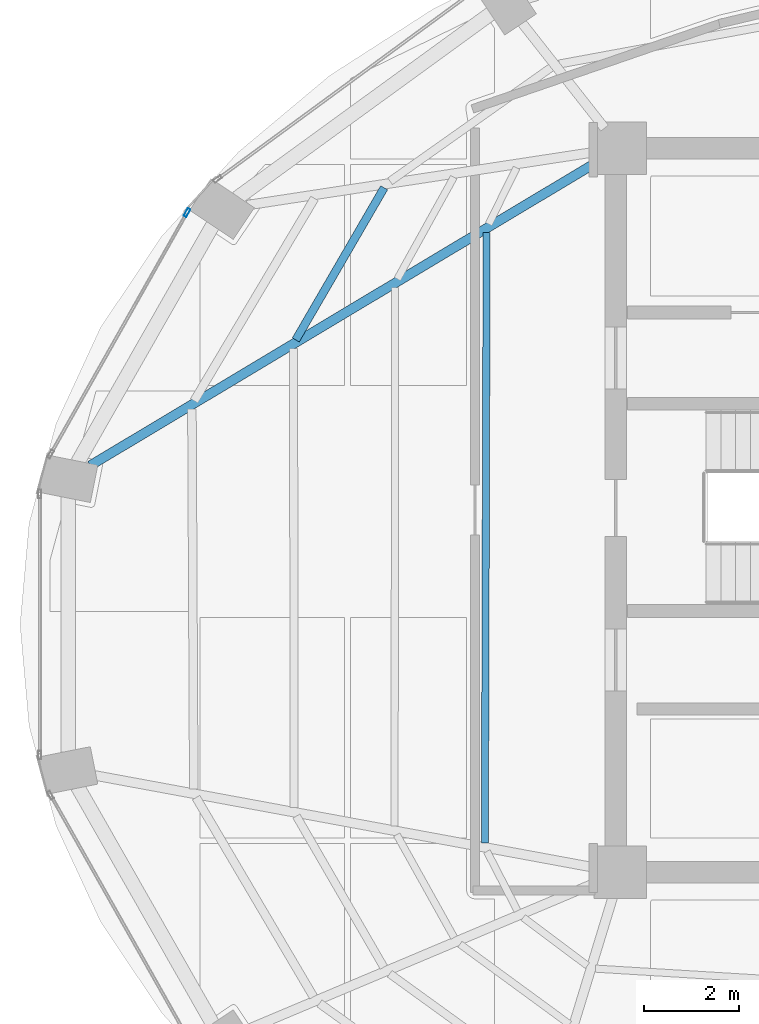
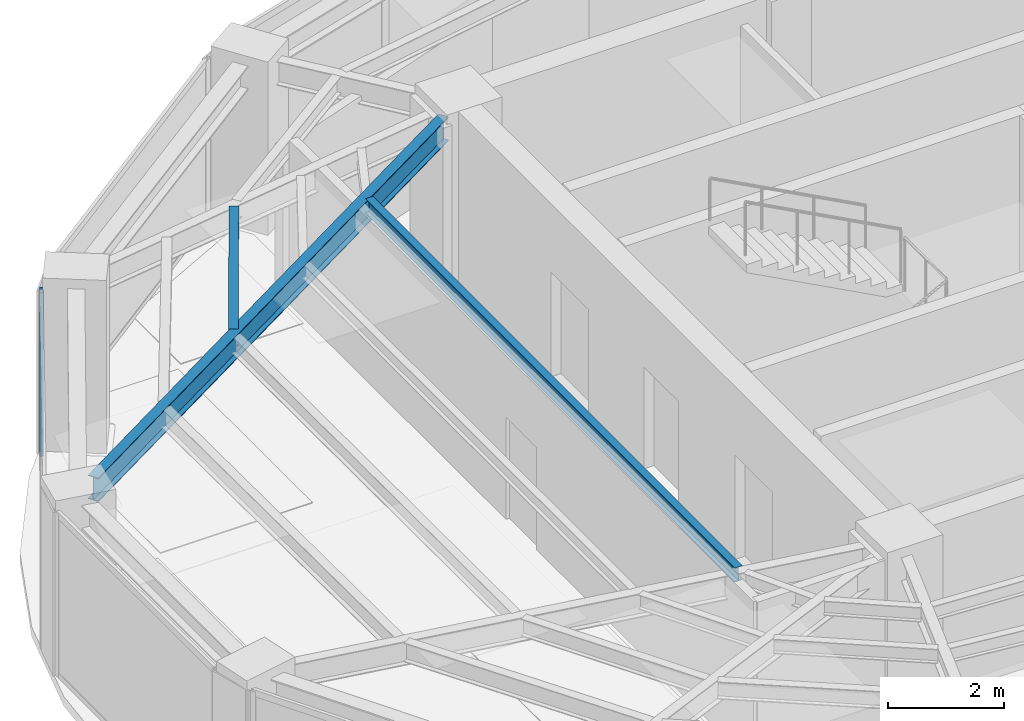
# One storey, part 9 of 22: 3 beams, 1 member, 1 element without a shape of its own.
"""IFC4 building model written with IfcOpenShell, lengths in metres."""

import ifcopenshell
import ifcopenshell.guid

model = None  # the IFC model being written
_history = None  # IfcOwnerHistory: only IFC2X3 demands one
_inside = {}  # id of a spatial element -> (the spatial element, [elements in it])
_under = {}  # id of a project, library or spatial element -> (it, [spatial elements below it])
_declared = {}  # id of a project -> (the project, [libraries it declares])
_typed = {}  # id of a type object -> (the type object, [elements of that type])
_made_of = {}  # id of a material, layer set ... -> (it, [elements and type objects made of it])


def new_model(schema):
    """Start an empty IFC model of exactly this schema.

    Asked for "IFC4X3", IfcOpenShell would pick the latest addendum, in which some entities
    have other attributes; the version numbers below select the first issue.
    IFC2X3 requires an IfcOwnerHistory on every rooted entity: one is made here for all.
    """
    global model, _history
    if schema == "IFC4X3":
        model = ifcopenshell.file(schema_version=(4, 3, 0, 0))
    else:
        model = ifcopenshell.file(schema=schema)
    _inside.clear()
    _under.clear()
    _declared.clear()
    _typed.clear()
    _made_of.clear()
    _history = None
    if model.schema == "IFC2X3":
        org = make("IfcOrganization", Name="unknown")
        user = make(
            "IfcPersonAndOrganization",
            ThePerson=make("IfcPerson", FamilyName="unknown"),
            TheOrganization=org,
        )
        app = make(
            "IfcApplication",
            ApplicationDeveloper=org,
            Version="unknown",
            ApplicationFullName="unknown",
            ApplicationIdentifier="unknown",
        )
        _history = make(
            "IfcOwnerHistory",
            OwningUser=user,
            OwningApplication=app,
            ChangeAction="ADDED",
            CreationDate=0,
        )
    return model


def make(cls, **values):
    """One entity of the class cls with the attributes given. An attribute that is None is left unset."""
    return model.create_entity(
        cls, **{name: value for name, value in values.items() if value is not None}
    )


def rooted(cls, **values):
    """An entity with a GlobalId (a new one), such as an element, a storey or a relation."""
    return make(cls, GlobalId=ifcopenshell.guid.new(), OwnerHistory=_history, **values)


def si_unit(unit_type, name, prefix=None):
    """IfcSIUnit, for example si_unit("LENGTHUNIT", "METRE", prefix="MILLI")."""
    return make("IfcSIUnit", UnitType=unit_type, Prefix=prefix, Name=name)


def assignment(units):
    """IfcUnitAssignment: the units of a project."""
    return None if units is None else make("IfcUnitAssignment", Units=units)


def point(xyz):
    """IfcCartesianPoint."""
    return None if xyz is None else make("IfcCartesianPoint", Coordinates=xyz)


def direction(xyz):
    """IfcDirection."""
    return None if xyz is None else make("IfcDirection", DirectionRatios=xyz)


def frame(location, z_axis=None, x_axis=None):
    """IfcAxis2Placement3D, a coordinate frame: its origin and axes. An axis left out is left unset."""
    return make(
        "IfcAxis2Placement3D",
        Location=point(location),
        Axis=direction(z_axis),
        RefDirection=direction(x_axis),
    )


def frame_2d(location, x_axis=None):
    """IfcAxis2Placement2D, a coordinate frame in the plane: its origin and x axis."""
    return make(
        "IfcAxis2Placement2D", Location=point(location), RefDirection=direction(x_axis)
    )


def origin():
    """The frame at (0, 0, 0) with its axes left unset."""
    return frame((0.0, 0.0, 0.0))


def origin_2d():
    """The frame at (0, 0) in the plane with its x axis left unset."""
    return frame_2d((0.0, 0.0))


def place(relative_to, where):
    """IfcLocalPlacement: puts the frame where relative to a parent placement (None: the world)."""
    return make(
        "IfcLocalPlacement", PlacementRelTo=relative_to, RelativePlacement=where
    )


def context(
    kind, dimensions, precision=None, world=None, true_north=None, identifier=None
):
    """IfcGeometricRepresentationContext, for example the 3D "Model" context."""
    return make(
        "IfcGeometricRepresentationContext",
        ContextIdentifier=identifier,
        ContextType=kind,
        CoordinateSpaceDimension=dimensions,
        Precision=precision,
        WorldCoordinateSystem=world,
        TrueNorth=true_north,
    )


def subcontext(parent, identifier, kind, view, scale=None):
    """IfcGeometricRepresentationSubContext, for example "Body" below "Model"."""
    return make(
        "IfcGeometricRepresentationSubContext",
        ContextIdentifier=identifier,
        ContextType=kind,
        ParentContext=parent,
        TargetScale=scale,
        TargetView=view,
    )


def project(units=None, contexts=None):
    """IfcProject with its units and contexts."""
    return rooted(
        "IfcProject",
        Name="project",
        RepresentationContexts=contexts,
        UnitsInContext=assignment(units),
    )


def spatial(cls, under=None, at=None, **own):
    """A site, building, storey or space (cls), placed at a placement, below another one or the project."""
    s = rooted(cls, ObjectPlacement=at, **own)
    if under is not None:
        _under.setdefault(under.id(), (under, []))[1].append(s)
    return s


def profile(cls, at=None, kind="AREA", **sizes):
    """A parametric profile (cls). Its sizes go by their IFC names, for example OverallWidth=200.0."""
    return make(cls, ProfileType=kind, Position=at, **sizes)


def hollow_rectangle(**sizes):
    """IfcRectangleHollowProfileDef."""
    return profile("IfcRectangleHollowProfileDef", **sizes)


def i_section(**sizes):
    """IfcIShapeProfileDef."""
    return profile("IfcIShapeProfileDef", **sizes)


def extrude(swept, where, along, depth):
    """IfcExtrudedAreaSolid: the profile swept, set in the frame where, extruded along a direction by depth."""
    return make(
        "IfcExtrudedAreaSolid",
        SweptArea=swept,
        Position=where,
        ExtrudedDirection=direction(along),
        Depth=depth,
    )


def shape(context_of_items, identifier, shape_type, items):
    """IfcShapeRepresentation: the items that make up one representation, for example the "Body"."""
    return make(
        "IfcShapeRepresentation",
        ContextOfItems=context_of_items,
        RepresentationIdentifier=identifier,
        RepresentationType=shape_type,
        Items=items,
    )


def material(Name=None, Category=None):
    """IfcMaterial."""
    return make("IfcMaterial", Name=Name, Category=Category)


def layer(
    of_material, thickness, ventilated=None, Name=None, Category=None, Priority=None
):
    """IfcMaterialLayer: one layer of a wall or slab, of a material (None: an air gap)."""
    return make(
        "IfcMaterialLayer",
        Material=of_material,
        LayerThickness=thickness,
        IsVentilated=ventilated,
        Name=Name,
        Category=Category,
        Priority=Priority,
    )


def layer_set(layers, Name=None):
    """IfcMaterialLayerSet."""
    return make("IfcMaterialLayerSet", MaterialLayers=layers, LayerSetName=Name)


def material_profile(
    of_material, cross_section, Name=None, Category=None, Priority=None
):
    """IfcMaterialProfile: a cross section and its material."""
    return make(
        "IfcMaterialProfile",
        Name=Name,
        Material=of_material,
        Profile=cross_section,
        Priority=Priority,
        Category=Category,
    )


def profile_set(profiles, Name=None, composite=None):
    """IfcMaterialProfileSet."""
    return make(
        "IfcMaterialProfileSet",
        Name=Name,
        MaterialProfiles=profiles,
        CompositeProfile=composite,
    )


def made_of(thing, what):
    """Note that an element or type object is made of a material, layer set ...; save() writes the relation."""
    if what is not None:
        _made_of.setdefault(what.id(), (what, []))[1].append(thing)
    return thing


def type_object(cls, material=None, **own):
    """A type object (cls), such as IfcWallType, which elements share."""
    return made_of(rooted(cls, **own), material)


def element(
    cls,
    number,
    at=None,
    inside=None,
    cuts=None,
    type_object=None,
    material=None,
    context=None,
    identifier="Body",
    shape_type=None,
    held_by="IfcProductDefinitionShape",
    body=None,
    shapes=None,
    **own,
):
    """One element of the class cls, such as IfcWall. Its Tag is "e" and its number.

    at: its placement. inside: the storey or other place that contains it. cuts: it is an
    opening in that element (IfcRelVoidsElement). A single representation is given by context,
    identifier, shape_type and body (its items); several are given by shapes. held_by: the class
    of the entity that holds the representations. save() writes the other relations.
    """
    e = rooted(cls, Tag="e%d" % number, ObjectPlacement=at, **own)
    if body is not None:
        shapes = [shape(context, identifier, shape_type, body)]
    if shapes is not None:
        e.Representation = make(held_by, Representations=shapes)
    if inside is not None:
        _inside.setdefault(inside.id(), (inside, []))[1].append(e)
    if cuts is not None:
        rooted(
            "IfcRelVoidsElement", RelatingBuildingElement=cuts, RelatedOpeningElement=e
        )
    if type_object is not None:
        _typed.setdefault(type_object.id(), (type_object, []))[1].append(e)
    return made_of(e, material)


def aggregate(whole, parts):
    """IfcRelAggregates: a whole, such as a stair, and the parts it consists of."""
    return rooted("IfcRelAggregates", RelatingObject=whole, RelatedObjects=parts)


def save(model, path):
    """Write the relations noted so far, then the file.

    IfcRelAggregates (storeys below a building ...), IfcRelContainedInSpatialStructure (elements
    in a storey), IfcRelDefinesByType, IfcRelAssociatesMaterial and IfcRelDeclares: one each for
    every whole, place, type object, material and project.
    """
    for whole, parts in _under.values():
        aggregate(whole, parts)
    for where, things in _inside.values():
        rooted(
            "IfcRelContainedInSpatialStructure",
            RelatedElements=things,
            RelatingStructure=where,
        )
    for kind, things in _typed.values():
        rooted("IfcRelDefinesByType", RelatedObjects=things, RelatingType=kind)
    for what, things in _made_of.values():
        rooted("IfcRelAssociatesMaterial", RelatedObjects=things, RelatingMaterial=what)
    for by, libraries in _declared.values():
        rooted("IfcRelDeclares", RelatingContext=by, RelatedDefinitions=libraries)
    model.write(path)


model = new_model("IFC4")

# Units and contexts
model_context = context("Model", 3, precision=1e-05, world=origin(), true_north=direction((0.0, 1.0)))
body_context = subcontext(model_context, "Body", "Model", "MODEL_VIEW")
ifc_project = project(units=[si_unit("LENGTHUNIT", "METRE"), si_unit("AREAUNIT", "SQUARE_METRE"), si_unit("VOLUMEUNIT", "CUBIC_METRE"), si_unit("PLANEANGLEUNIT", "RADIAN"), si_unit("MASSUNIT", "GRAM", prefix="KILO")], contexts=[model_context])

# Site, building, storey
site_placement = place(None, origin())
site = spatial("IfcSite", under=ifc_project, at=site_placement, CompositionType="ELEMENT")
building_placement = place(site_placement, origin())
building = spatial("IfcBuilding", under=site, at=building_placement, Name="Lazwardi Medical Tower", CompositionType="ELEMENT")
storey_placement = place(building_placement, frame((0.0, 0.0, 255.02392578125)))
storey = spatial("IfcBuildingStorey", under=building, at=storey_placement, Name="L66", CompositionType="ELEMENT", Elevation=255.02392578125)

# Beams
ifc_material_1 = material(Name="Steel S355", Category="steel")
ifc_material_profile_1 = material_profile(ifc_material_1, i_section(OverallWidth=0.199951171875, OverallDepth=0.5, WebThickness=0.01025390625, FlangeThickness=0.01611328125, at=origin_2d()), Name="IPE 500")
ifc_profile_set_1 = profile_set([ifc_material_profile_1], Name="Steel S355")
beam_type_1 = type_object("IfcBeamType", Name="BM-RG-W3", PredefinedType="BEAM", material=ifc_profile_set_1)
beam_1_placement = place(storey_placement, frame((15.27392578125, 28.937744140625, 3.197998046875), z_axis=(0.857944804603, 0.513741873176, 0.0), x_axis=(-0.513741873176, 0.857944804603, 0.0)))
element("IfcBeam", 1, at=beam_1_placement, inside=storey, type_object=beam_type_1, Name="Radial girder RG-04 R12 L66", PredefinedType="BEAM", context=body_context, shape_type="SweptSolid", body=[
    extrude(i_section(OverallWidth=0.199951171875, OverallDepth=0.5, WebThickness=0.01025390625, FlangeThickness=0.01611328125, at=origin_2d()), origin(), (0.0, 0.0, 1.0), 12.43310546875),
])
ifc_material_profile_2 = material_profile(ifc_material_1, i_section(OverallWidth=0.169921875, OverallDepth=0.360107421875, WebThickness=0.008056640625, FlangeThickness=0.0126953125, at=origin_2d()), Name="IPE 360")
ifc_profile_set_2 = profile_set([ifc_material_profile_2], Name="Steel S355")
beam_type_2 = type_object("IfcBeamType", Name="BM-SJ-02", PredefinedType="JOIST", material=ifc_profile_set_2)
beam_2_placement = place(storey_placement, frame((21.4423828125, 34.767578125, 3.26806640625), z_axis=(-0.50218018565, -0.864763008657, 0.0), x_axis=(0.864763008657, -0.50218018565, 0.0)))
element("IfcBeam", 2, at=beam_2_placement, inside=storey, type_object=beam_type_2, Name="Secondary joist SJ-02 R2 B11 L66", PredefinedType="JOIST", context=body_context, shape_type="SweptSolid", body=[
    extrude(i_section(OverallWidth=0.169921875, OverallDepth=0.360107421875, WebThickness=0.008056640625, FlangeThickness=0.0126953125, at=origin_2d()), origin(), (0.0, 0.0, 1.0), 3.69189453125),
])
ifc_material_profile_3 = material_profile(ifc_material_1, i_section(OverallWidth=0.14990234375, OverallDepth=0.300048828125, WebThickness=0.007080078125, FlangeThickness=0.0107421875, at=origin_2d()), Name="IPE 300")
ifc_profile_set_3 = profile_set([ifc_material_profile_3], Name="Steel S355")
beam_type_3 = type_object("IfcBeamType", Name="BM-SJ-03", PredefinedType="JOIST", material=ifc_profile_set_3)
beam_3_placement = place(storey_placement, frame((23.593994140625, 33.824951171875, 3.298095703125), z_axis=(-0.002897930673, -0.99999580099, 0.0), x_axis=(0.99999580099, -0.002897930673, 0.0)))
element("IfcBeam", 3, at=beam_3_placement, inside=storey, type_object=beam_type_3, Name="Secondary joist SJ-03 R4 B12 L66", PredefinedType="JOIST", context=body_context, shape_type="SweptSolid", body=[
    extrude(i_section(OverallWidth=0.14990234375, OverallDepth=0.300048828125, WebThickness=0.007080078125, FlangeThickness=0.0107421875, at=origin_2d()), origin(), (0.0, 0.0, 1.0), 12.805419921875),
])

# Curtain wall, member
ifc_material_2 = material(Name="Anodised bronze aluminium and solar control glazing", Category="aluminium")
ifc_layer = layer(ifc_material_2, 0.18994140625)
ifc_layer_set = layer_set([ifc_layer], Name="Anodised bronze aluminium and solar control glazing")
curtain_wall_type = type_object("IfcCurtainWallType", Name="CW-SYS-04", PredefinedType="NOTDEFINED", material=ifc_layer_set)
curtain_wall_placement = place(storey_placement, origin())
curtain_wall = element("IfcCurtainWall", 4, at=curtain_wall_placement, inside=storey, type_object=curtain_wall_type, Name="L66 Unitised bronze curtain wall CW-04", PredefinedType="NOTDEFINED")
ifc_material_3 = material(Name="Anodised bronze aluminium", Category="aluminium")
ifc_material_profile_4 = material_profile(ifc_material_3, hollow_rectangle(XDim=0.06494140625, YDim=0.179931640625, WallThickness=0.00390625, at=origin_2d()), Name="ALU-MULLION 180x65x4")
ifc_profile_set_4 = profile_set([ifc_material_profile_4], Name="Anodised bronze aluminium")
member_type = type_object("IfcMemberType", Name="CW-MUL-03", PredefinedType="MULLION", material=ifc_profile_set_4)
member_placement = place(storey_placement, frame((17.3056640625, 34.24560546875, 0.0), z_axis=(0.0, 0.0, 1.0), x_axis=(0.870651436011, -0.491900474661, 0.0)))
member = element("IfcMember", 5, at=member_placement, type_object=member_type, Name="CW-04 mullion 1", PredefinedType="MULLION", context=body_context, shape_type="SweptSolid", body=[
    extrude(hollow_rectangle(XDim=0.06494140625, YDim=0.179931640625, WallThickness=0.00390625, at=origin_2d()), origin(), (0.0, 0.0, 1.0), 3.447998046875),
])
aggregate(curtain_wall, [member])

save(model, "model.ifc")
